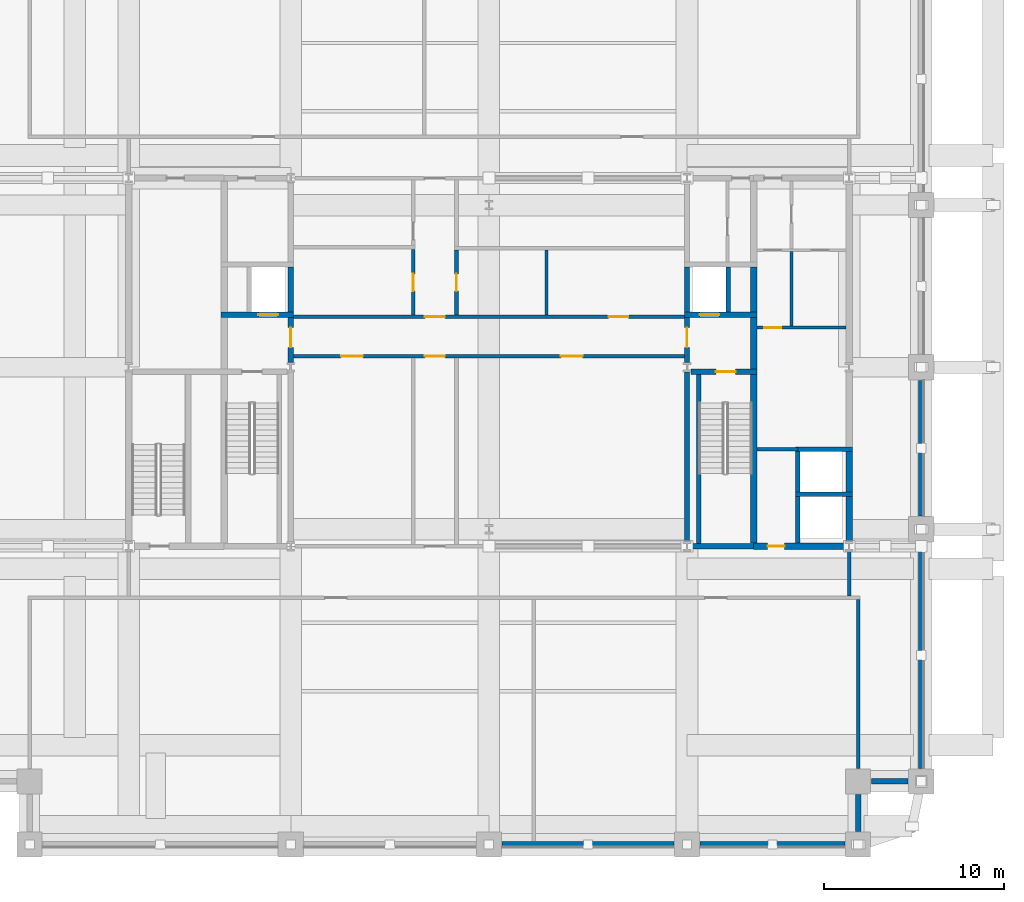
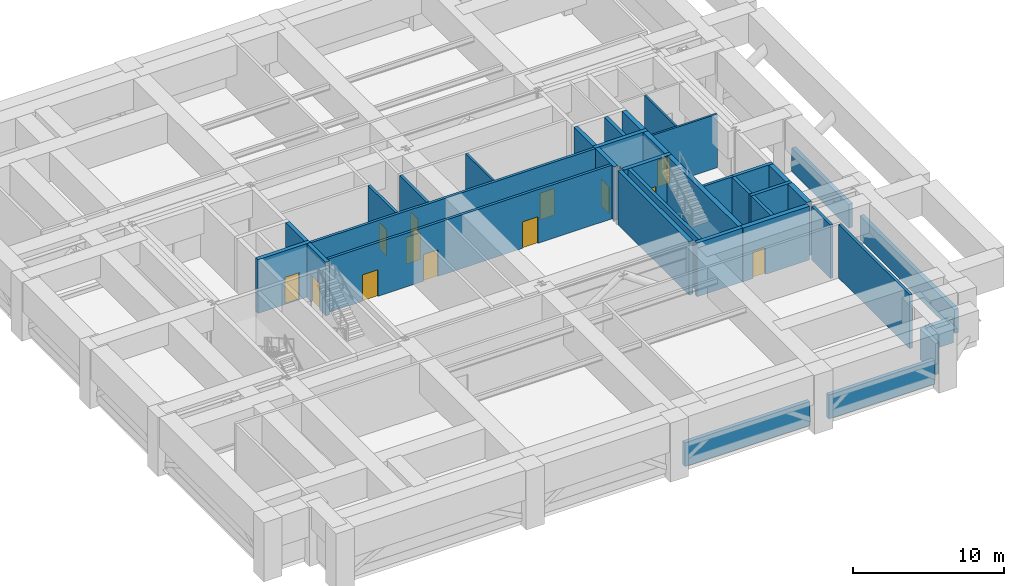
# One storey, part 4 of 10: 37 walls, 14 doors, 14 openings.
"""IFC4 building model written with IfcOpenShell, lengths in metres."""

from ifc_helpers import new_model, si_unit, direction, frame, frame_2d, origin, place, context, subcontext, project, spatial, rectangle, extrude, material, layer, layer_set, type_object, element, fill, save


model = new_model("IFC4")

# Units and contexts
model_context = context("Model", 3, precision=1e-05, world=origin(), true_north=direction((0.0, 1.0)))
body_context = subcontext(model_context, "Body", "Model", "MODEL_VIEW")
ifc_project = project(units=[si_unit("LENGTHUNIT", "METRE"), si_unit("AREAUNIT", "SQUARE_METRE"), si_unit("VOLUMEUNIT", "CUBIC_METRE"), si_unit("PLANEANGLEUNIT", "RADIAN"), si_unit("MASSUNIT", "GRAM", prefix="KILO")], contexts=[model_context])

# Site, building, storey
site_placement = place(None, origin())
site = spatial("IfcSite", under=ifc_project, at=site_placement, CompositionType="ELEMENT")
building_placement = place(site_placement, origin())
building = spatial("IfcBuilding", under=site, at=building_placement, Name="Zulmaris Gate Convention Tower", CompositionType="ELEMENT")
storey_placement = place(building_placement, frame((0.0, 0.0, 82.179931640625)))
storey = spatial("IfcBuildingStorey", under=building, at=storey_placement, Name="L20", CompositionType="ELEMENT", Elevation=82.179931640625)

# Walls
ifc_material_1 = material(Name="Concrete C50/60", Category="concrete")
ifc_layer_1 = layer(ifc_material_1, 0.25, Name="Concrete C50/60")
ifc_layer_set_1 = layer_set([ifc_layer_1], Name="Concrete C50/60")
wall_type_1 = type_object("IfcWallType", Name="CORE-250", PredefinedType="SOLIDWALL", material=ifc_layer_set_1)
for number, where, z_axis, x_axis, name in (
    (1, (17.02490234375, -7.050048828125, 0.0), (0.0, 0.0, 1.0), (1.0, 0.0, 0.0), "WL-L20-005"),
    (2, (17.02490234375, -4.550048828125, 0.0), (0.0, 0.0, 1.0), (1.0, 0.0, 0.0), "WL-L20-006"),
):
    element("IfcWall", number, at=place(storey_placement, frame(where, z_axis=z_axis, x_axis=x_axis)), inside=storey, type_object=wall_type_1, Name=name, PredefinedType="SOLIDWALL", context=body_context, shape_type="SweptSolid", body=[
        extrude(rectangle(XDim=3.150146484375, YDim=0.25, at=frame_2d((1.5751953125, 0.0))), origin(), (0.0, 0.0, 1.0), 4.3349609375),
    ])
wall_1_placement = place(storey_placement, frame((11.64990234375, -9.798095703125, 0.0), z_axis=(0.0, 0.0, 1.0), x_axis=(0.0, 1.0, 0.0)))
element("IfcWall", 3, at=wall_1_placement, inside=storey, type_object=wall_type_1, Name="WL-L20-045", PredefinedType="SOLIDWALL", context=body_context, shape_type="SweptSolid", body=[
    extrude(rectangle(XDim=9.39599609375, YDim=0.25, at=frame_2d((4.697998046875, 0.0))), origin(), (0.0, 0.0, 1.0), 4.3349609375),
])
wall_2_placement = place(storey_placement, frame((13.300048828125, 3.052001953125, 0.0), z_axis=(0.0, 0.0, 1.0), x_axis=(0.0, 1.0, 0.0)))
element("IfcWall", 4, at=wall_2_placement, inside=storey, type_object=wall_type_1, Name="WL-L20-046", PredefinedType="SOLIDWALL", context=body_context, shape_type="SweptSolid", body=[
    extrude(rectangle(XDim=2.49609375, YDim=0.25, at=frame_2d((1.248046875, 0.0))), origin(), (0.0, 0.0, 1.0), 4.3349609375),
])
wall_3_placement = place(storey_placement, frame((17.14990234375, -9.77294921875, 0.0), z_axis=(0.0, 0.0, 1.0), x_axis=(0.0, 1.0, 0.0)))
element("IfcWall", 5, at=wall_3_placement, inside=storey, type_object=wall_type_1, Name="WL-L20-051", PredefinedType="SOLIDWALL", context=body_context, shape_type="SweptSolid", body=[
    extrude(rectangle(XDim=2.595947265625, YDim=0.25, at=frame_2d((1.2978515625, 0.0))), origin(), (0.0, 0.0, 1.0), 4.3349609375),
])
wall_4_placement = place(storey_placement, frame((17.14990234375, -6.923095703125, 0.0), z_axis=(0.0, 0.0, 1.0), x_axis=(0.0, 1.0, 0.0)))
element("IfcWall", 6, at=wall_4_placement, inside=storey, type_object=wall_type_1, Name="WL-L20-052", PredefinedType="SOLIDWALL", context=body_context, shape_type="SweptSolid", body=[
    extrude(rectangle(XDim=2.24609375, YDim=0.25, at=frame_2d((1.123046875, 0.0))), origin(), (0.0, 0.0, 1.0), 4.3349609375),
])
ifc_layer_2 = layer(ifc_material_1, 0.300048828125, Name="Concrete C50/60")
ifc_layer_set_2 = layer_set([ifc_layer_2], Name="Concrete C50/60")
wall_type_2 = type_object("IfcWallType", Name="CORE-300", PredefinedType="SHEAR", material=ifc_layer_set_2)
wall_5_placement = place(storey_placement, frame((11.222412109375, -9.949951171875, 0.0), z_axis=(0.0, 0.0, 1.0), x_axis=(1.0, 0.0, 0.0)))
element("IfcWall", 7, at=wall_5_placement, inside=storey, type_object=wall_type_2, Name="WL-L20-003", PredefinedType="SHEAR", context=body_context, shape_type="SweptSolid", body=[
    extrude(rectangle(XDim=3.4775390625, YDim=0.300048828125, at=frame_2d((1.73876953125, 0.0))), origin(), (0.0, 0.0, 1.0), 4.3349609375),
])

# Wall, opening, door
wall_6_placement = place(storey_placement, frame((11.222412109375, -0.25, 0.0), z_axis=(0.0, 0.0, 1.0), x_axis=(1.0, 0.0, 0.0)))
wall_6 = element("IfcWall", 8, at=wall_6_placement, inside=storey, type_object=wall_type_2, Name="WL-L20-008", PredefinedType="SHEAR", context=body_context, shape_type="SweptSolid", body=[
    extrude(rectangle(XDim=3.652587890625, YDim=0.300048828125, at=frame_2d((1.826171875, 0.0))), origin(), (0.0, 0.0, 1.0), 4.3349609375),
])
opening_1_placement = place(wall_6_placement, frame((1.37744140625, 0.0, 0.0)))
opening_1 = element("IfcOpeningElement", 9, at=opening_1_placement, cuts=wall_6, Name="Opening D-08", PredefinedType="OPENING", context=body_context, shape_type="SweptSolid", body=[
    extrude(rectangle(XDim=1.10009765625, YDim=2.14990234375, at=frame_2d((0.550048828125, 1.074951171875))), frame((0.0, 0.16015625, 0.0), z_axis=(0.0, -1.0, 0.0), x_axis=(1.0, 0.0, 0.0)), (0.0, 0.0, 1.0), 0.320068359375),
])
ifc_material_2 = material(Name="Fire-Rated Steel", Category="steel")
door_type_1 = type_object("IfcDoorType", Name="DR-1100-FD", OperationType="NOTDEFINED", PredefinedType="DOOR", material=ifc_material_2)
door_1_placement = place(opening_1_placement, origin())
door_1 = element("IfcDoor", 10, at=door_1_placement, inside=storey, type_object=door_type_1, Name="L20 Exit Stair ST-2 Door 04", OperationType="SINGLE_SWING_RIGHT", OverallHeight=2.14990234375, OverallWidth=1.10009765625, PredefinedType="DOOR", context=body_context, shape_type="SweptSolid", body=[
    extrude(rectangle(XDim=1.10009765625, YDim=2.14990234375, at=frame_2d((0.550048828125, 1.074951171875))), frame((0.0, 0.02490234375, 0.0), z_axis=(0.0, -1.0, 0.0), x_axis=(1.0, 0.0, 0.0)), (0.0, 0.0, 1.0), 0.050048828125),
])
fill(opening_1, door_1)

wall_7_placement = place(storey_placement, frame((-14.875, 2.89990234375, 0.0), z_axis=(0.0, 0.0, 1.0), x_axis=(1.0, 0.0, 0.0)))
wall_7 = element("IfcWall", 11, at=wall_7_placement, inside=storey, type_object=wall_type_2, Name="WL-L20-009", PredefinedType="SHEAR", context=body_context, shape_type="SweptSolid", body=[
    extrude(rectangle(XDim=4.02490234375, YDim=0.300048828125, at=frame_2d((2.012451171875, 0.0))), origin(), (0.0, 0.0, 1.0), 4.3349609375),
])
opening_2_placement = place(wall_7_placement, frame((2.074951171875, 0.0, 0.0)))
opening_2 = element("IfcOpeningElement", 12, at=opening_2_placement, cuts=wall_7, Name="Opening D-06", PredefinedType="OPENING", context=body_context, shape_type="SweptSolid", body=[
    extrude(rectangle(XDim=1.10009765625, YDim=2.199951171875, at=frame_2d((0.550048828125, 1.10009765625))), frame((0.0, 0.16015625, 0.0), z_axis=(0.0, -1.0, 0.0), x_axis=(1.0, 0.0, 0.0)), (0.0, 0.0, 1.0), 0.320068359375),
])
ifc_material_3 = material(Name="Brushed Stainless Steel", Category="steel")
door_type_2 = type_object("IfcDoorType", Name="LD-1100", OperationType="NOTDEFINED", PredefinedType="DOOR", material=ifc_material_3)
door_2_placement = place(opening_2_placement, origin())
door_2 = element("IfcDoor", 13, at=door_2_placement, inside=storey, type_object=door_type_2, Name="L20 Lift Landing Door LF-01 03", OperationType="SLIDING_TO_LEFT", OverallHeight=2.199951171875, OverallWidth=1.10009765625, PredefinedType="DOOR", context=body_context, shape_type="SweptSolid", body=[
    extrude(rectangle(XDim=1.10009765625, YDim=2.199951171875, at=frame_2d((0.550048828125, 1.10009765625))), frame((0.0, 0.02490234375, 0.0), z_axis=(0.0, -1.0, 0.0), x_axis=(1.0, 0.0, 0.0)), (0.0, 0.0, 1.0), 0.050048828125),
])
fill(opening_2, door_2)

wall_8_placement = place(storey_placement, frame((10.85009765625, 2.89990234375, 0.0), z_axis=(0.0, 0.0, 1.0), x_axis=(1.0, 0.0, 0.0)))
wall_8 = element("IfcWall", 14, at=wall_8_placement, inside=storey, type_object=wall_type_2, Name="WL-L20-010", PredefinedType="SHEAR", context=body_context, shape_type="SweptSolid", body=[
    extrude(rectangle(XDim=4.02490234375, YDim=0.300048828125, at=frame_2d((2.012451171875, 0.0))), origin(), (0.0, 0.0, 1.0), 4.3349609375),
])
opening_3_placement = place(wall_8_placement, frame((0.85009765625, 0.0, 0.0)))
opening_3 = element("IfcOpeningElement", 15, at=opening_3_placement, cuts=wall_8, Name="Opening D-06", PredefinedType="OPENING", context=body_context, shape_type="SweptSolid", body=[
    extrude(rectangle(XDim=1.10009765625, YDim=2.199951171875, at=frame_2d((0.550048828125, 1.10009765625))), frame((0.0, 0.16015625, 0.0), z_axis=(0.0, -1.0, 0.0), x_axis=(1.0, 0.0, 0.0)), (0.0, 0.0, 1.0), 0.320068359375),
])
door_3_placement = place(opening_3_placement, origin())
door_3 = element("IfcDoor", 16, at=door_3_placement, inside=storey, type_object=door_type_2, Name="L20 Lift Landing Door LF-02 06", OperationType="SLIDING_TO_RIGHT", OverallHeight=2.199951171875, OverallWidth=1.10009765625, PredefinedType="DOOR", context=body_context, shape_type="SweptSolid", body=[
    extrude(rectangle(XDim=1.10009765625, YDim=2.199951171875, at=frame_2d((0.550048828125, 1.10009765625))), frame((0.0, 0.02490234375, 0.0), z_axis=(0.0, -1.0, 0.0), x_axis=(1.0, 0.0, 0.0)), (0.0, 0.0, 1.0), 0.050048828125),
])
fill(opening_3, door_3)

wall_9_placement = place(storey_placement, frame((-11.0, 0.260986328125, 0.0), z_axis=(0.0, 0.0, 1.0), x_axis=(0.0, 1.0, 0.0)))
wall_9 = element("IfcWall", 17, at=wall_9_placement, inside=storey, type_object=wall_type_2, Name="WL-L20-038", PredefinedType="SHEAR", context=body_context, shape_type="SweptSolid", body=[
    extrude(rectangle(XDim=2.487060546875, YDim=0.300048828125, at=frame_2d((1.24365234375, 0.0))), origin(), (0.0, 0.0, 1.0), 4.3349609375),
])
opening_4_placement = place(wall_9_placement, frame((0.839111328125, 0.0, 0.0)))
opening_4 = element("IfcOpeningElement", 18, at=opening_4_placement, cuts=wall_9, Name="Opening D-08", PredefinedType="OPENING", context=body_context, shape_type="SweptSolid", body=[
    extrude(rectangle(XDim=1.10009765625, YDim=2.14990234375, at=frame_2d((0.550048828125, 1.074951171875))), frame((0.0, 0.16015625, 0.0), z_axis=(0.0, -1.0, 0.0), x_axis=(1.0, 0.0, 0.0)), (0.0, 0.0, 1.0), 0.320068359375),
])
door_4_placement = place(opening_4_placement, origin())
door_4 = element("IfcDoor", 19, at=door_4_placement, inside=storey, type_object=door_type_1, Name="L20 West Firefighting Lobby Door 02", OperationType="SINGLE_SWING_LEFT", OverallHeight=2.14990234375, OverallWidth=1.10009765625, PredefinedType="DOOR", context=body_context, shape_type="SweptSolid", body=[
    extrude(rectangle(XDim=1.10009765625, YDim=2.14990234375, at=frame_2d((0.550048828125, 1.074951171875))), frame((0.0, 0.02490234375, 0.0), z_axis=(0.0, -1.0, 0.0), x_axis=(1.0, 0.0, 0.0)), (0.0, 0.0, 1.0), 0.050048828125),
])
fill(opening_4, door_4)

# Walls
wall_10_placement = place(storey_placement, frame((-11.0, 3.052001953125, 0.0), z_axis=(0.0, 0.0, 1.0), x_axis=(0.0, 1.0, 0.0)))
element("IfcWall", 20, at=wall_10_placement, inside=storey, type_object=wall_type_2, Name="WL-L20-039", PredefinedType="SHEAR", context=body_context, shape_type="SweptSolid", body=[
    extrude(rectangle(XDim=2.49609375, YDim=0.300048828125, at=frame_2d((1.248046875, 0.0))), origin(), (0.0, 0.0, 1.0), 4.3349609375),
])
wall_11_placement = place(storey_placement, frame((11.0, -9.68896484375, 0.0), z_axis=(0.0, 0.0, 1.0), x_axis=(0.0, 1.0, 0.0)))
element("IfcWall", 21, at=wall_11_placement, inside=storey, type_object=wall_type_2, Name="WL-L20-041", PredefinedType="SHEAR", context=body_context, shape_type="SweptSolid", body=[
    extrude(rectangle(XDim=9.427978515625, YDim=0.300048828125, at=frame_2d((4.7138671875, 0.0))), origin(), (0.0, 0.0, 1.0), 4.3349609375),
])

# Wall, opening, door
wall_12_placement = place(storey_placement, frame((11.0, 0.260986328125, 0.0), z_axis=(0.0, 0.0, 1.0), x_axis=(0.0, 1.0, 0.0)))
wall_12 = element("IfcWall", 22, at=wall_12_placement, inside=storey, type_object=wall_type_2, Name="WL-L20-042", PredefinedType="SHEAR", context=body_context, shape_type="SweptSolid", body=[
    extrude(rectangle(XDim=2.487060546875, YDim=0.300048828125, at=frame_2d((1.24365234375, 0.0))), origin(), (0.0, 0.0, 1.0), 4.3349609375),
])
opening_5_placement = place(wall_12_placement, frame((0.839111328125, 0.0, 0.0)))
opening_5 = element("IfcOpeningElement", 23, at=opening_5_placement, cuts=wall_12, Name="Opening D-08", PredefinedType="OPENING", context=body_context, shape_type="SweptSolid", body=[
    extrude(rectangle(XDim=1.10009765625, YDim=2.14990234375, at=frame_2d((0.550048828125, 1.074951171875))), frame((0.0, 0.16015625, 0.0), z_axis=(0.0, -1.0, 0.0), x_axis=(1.0, 0.0, 0.0)), (0.0, 0.0, 1.0), 0.320068359375),
])
door_5_placement = place(opening_5_placement, origin())
door_5 = element("IfcDoor", 24, at=door_5_placement, inside=storey, type_object=door_type_1, Name="L20 East Firefighting Lobby Door 05", OperationType="SINGLE_SWING_LEFT", OverallHeight=2.14990234375, OverallWidth=1.10009765625, PredefinedType="DOOR", context=body_context, shape_type="SweptSolid", body=[
    extrude(rectangle(XDim=1.10009765625, YDim=2.14990234375, at=frame_2d((0.550048828125, 1.074951171875))), frame((0.0, 0.02490234375, 0.0), z_axis=(0.0, -1.0, 0.0), x_axis=(1.0, 0.0, 0.0)), (0.0, 0.0, 1.0), 0.050048828125),
])
fill(opening_5, door_5)

# Wall
wall_13_placement = place(storey_placement, frame((11.0, 3.052001953125, 0.0), z_axis=(0.0, 0.0, 1.0), x_axis=(0.0, 1.0, 0.0)))
element("IfcWall", 25, at=wall_13_placement, inside=storey, type_object=wall_type_2, Name="WL-L20-043", PredefinedType="SHEAR", context=body_context, shape_type="SweptSolid", body=[
    extrude(rectangle(XDim=2.49609375, YDim=0.300048828125, at=frame_2d((1.248046875, 0.0))), origin(), (0.0, 0.0, 1.0), 4.3349609375),
])

# Wall, opening, door
ifc_material_4 = material(Name="Concrete C55/67", Category="concrete")
ifc_layer_3 = layer(ifc_material_4, 0.35009765625, Name="Concrete C55/67")
ifc_layer_set_3 = layer_set([ifc_layer_3], Name="Concrete C55/67")
wall_type_3 = type_object("IfcWallType", Name="CORE-350", PredefinedType="SHEAR", material=ifc_layer_set_3)
wall_14_placement = place(storey_placement, frame((14.699951171875, -9.949951171875, 0.0), z_axis=(0.0, 0.0, 1.0), x_axis=(1.0, 0.0, 0.0)))
wall_14 = element("IfcWall", 26, at=wall_14_placement, inside=storey, type_object=wall_type_3, Name="WL-L20-004", PredefinedType="SHEAR", context=body_context, shape_type="SweptSolid", body=[
    extrude(rectangle(XDim=5.07763671875, YDim=0.35009765625, at=frame_2d((2.538818359375, 0.0))), origin(), (0.0, 0.0, 1.0), 4.3349609375),
])
opening_6_placement = place(wall_14_placement, frame((0.77490234375, 0.0, 0.0)))
opening_6 = element("IfcOpeningElement", 27, at=opening_6_placement, cuts=wall_14, Name="Opening D-11", PredefinedType="OPENING", context=body_context, shape_type="SweptSolid", body=[
    extrude(rectangle(XDim=0.949951171875, YDim=2.14990234375, at=frame_2d((0.47509765625, 1.074951171875))), frame((0.0, 0.18505859375, 0.0), z_axis=(0.0, -1.0, 0.0), x_axis=(1.0, 0.0, 0.0)), (0.0, 0.0, 1.0), 0.3701171875),
])
ifc_material_5 = material(Name="Fire-Rated Timber", Category="wood")
door_type_3 = type_object("IfcDoorType", Name="DR-950-FD", OperationType="NOTDEFINED", PredefinedType="DOOR", material=ifc_material_5)
door_6_placement = place(opening_6_placement, origin())
door_6 = element("IfcDoor", 28, at=door_6_placement, inside=storey, type_object=door_type_3, Name="L20 East Cleaners Store Door 12", OperationType="SINGLE_SWING_LEFT", OverallHeight=2.14990234375, OverallWidth=0.949951171875, PredefinedType="DOOR", context=body_context, shape_type="SweptSolid", body=[
    extrude(rectangle(XDim=0.949951171875, YDim=2.14990234375, at=frame_2d((0.47509765625, 1.074951171875))), frame((0.0, 0.02490234375, 0.0), z_axis=(0.0, -1.0, 0.0), x_axis=(1.0, 0.0, 0.0)), (0.0, 0.0, 1.0), 0.050048828125),
])
fill(opening_6, door_6)

# Walls
wall_15_placement = place(storey_placement, frame((14.699951171875, -9.77294921875, 0.0), z_axis=(0.0, 0.0, 1.0), x_axis=(0.0, 1.0, 0.0)))
element("IfcWall", 29, at=wall_15_placement, inside=storey, type_object=wall_type_3, Name="WL-L20-047", PredefinedType="SHEAR", context=body_context, shape_type="SweptSolid", body=[
    extrude(rectangle(XDim=9.370849609375, YDim=0.35009765625, at=frame_2d((4.685546875, 0.0))), origin(), (0.0, 0.0, 1.0), 4.3349609375),
])
wall_16_placement = place(storey_placement, frame((14.699951171875, -0.097900390625, 0.0), z_axis=(0.0, 0.0, 1.0), x_axis=(0.0, 1.0, 0.0)))
element("IfcWall", 30, at=wall_16_placement, inside=storey, type_object=wall_type_3, Name="WL-L20-048", PredefinedType="SHEAR", context=body_context, shape_type="SweptSolid", body=[
    extrude(rectangle(XDim=2.845947265625, YDim=0.35009765625, at=frame_2d((1.4228515625, 0.0))), origin(), (0.0, 0.0, 1.0), 4.3349609375),
])
wall_17_placement = place(storey_placement, frame((14.699951171875, 3.052001953125, 0.0), z_axis=(0.0, 0.0, 1.0), x_axis=(0.0, 1.0, 0.0)))
element("IfcWall", 31, at=wall_17_placement, inside=storey, type_object=wall_type_3, Name="WL-L20-049", PredefinedType="SHEAR", context=body_context, shape_type="SweptSolid", body=[
    extrude(rectangle(XDim=2.49609375, YDim=0.35009765625, at=frame_2d((1.248046875, 0.0))), origin(), (0.0, 0.0, 1.0), 4.3349609375),
])
wall_18_placement = place(storey_placement, frame((20.0, -9.68896484375, 0.0), z_axis=(0.0, 0.0, 1.0), x_axis=(0.0, 1.0, 0.0)))
element("IfcWall", 32, at=wall_18_placement, inside=storey, type_object=wall_type_3, Name="WL-L20-053", PredefinedType="SHEAR", context=body_context, shape_type="SweptSolid", body=[
    extrude(rectangle(XDim=2.511962890625, YDim=0.35009765625, at=frame_2d((1.255859375, 0.0))), origin(), (0.0, 0.0, 1.0), 4.3349609375),
])
wall_19_placement = place(storey_placement, frame((20.0, -6.923095703125, 0.0), z_axis=(0.0, 0.0, 1.0), x_axis=(0.0, 1.0, 0.0)))
element("IfcWall", 33, at=wall_19_placement, inside=storey, type_object=wall_type_3, Name="WL-L20-054", PredefinedType="SHEAR", context=body_context, shape_type="SweptSolid", body=[
    extrude(rectangle(XDim=2.24609375, YDim=0.35009765625, at=frame_2d((1.123046875, 0.0))), origin(), (0.0, 0.0, 1.0), 4.3349609375),
])

# Wall, opening, door
ifc_material_6 = material(Name="Gypsum Metal Stud Partition")
ifc_layer_4 = layer(ifc_material_6, 0.14990234375, Name="Gypsum Metal Stud Partition")
ifc_layer_set_4 = layer_set([ifc_layer_4], Name="Gypsum Metal Stud Partition")
wall_type_4 = type_object("IfcWallType", Name="PART-150", PredefinedType="PARTITIONING", material=ifc_layer_set_4)
wall_20_placement = place(storey_placement, frame((14.8779296875, 2.199951171875, 0.0), z_axis=(0.0, 0.0, 1.0), x_axis=(1.0, 0.0, 0.0)))
wall_20 = element("IfcWall", 34, at=wall_20_placement, inside=storey, type_object=wall_type_4, Name="WL-L20-021", PredefinedType="PARTITIONING", context=body_context, shape_type="SweptSolid", body=[
    extrude(rectangle(XDim=4.944091796875, YDim=0.14990234375, at=frame_2d((2.47216796875, 0.0))), origin(), (0.0, 0.0, 1.0), 4.3349609375),
])
opening_7_placement = place(wall_20_placement, frame((0.39697265625, 0.0, 0.0)))
opening_7 = element("IfcOpeningElement", 35, at=opening_7_placement, cuts=wall_20, Name="Opening D-11", PredefinedType="OPENING", context=body_context, shape_type="SweptSolid", body=[
    extrude(rectangle(XDim=0.949951171875, YDim=2.14990234375, at=frame_2d((0.47509765625, 1.074951171875))), frame((0.0, 0.0849609375, 0.0), z_axis=(0.0, -1.0, 0.0), x_axis=(1.0, 0.0, 0.0)), (0.0, 0.0, 1.0), 0.169921875),
])
door_7_placement = place(opening_7_placement, origin())
door_7 = element("IfcDoor", 36, at=door_7_placement, inside=storey, type_object=door_type_3, Name="L20 East Switchroom Door 15", OperationType="SINGLE_SWING_RIGHT", OverallHeight=2.14990234375, OverallWidth=0.949951171875, PredefinedType="DOOR", context=body_context, shape_type="SweptSolid", body=[
    extrude(rectangle(XDim=0.949951171875, YDim=2.14990234375, at=frame_2d((0.47509765625, 1.074951171875))), frame((0.0, 0.02490234375, 0.0), z_axis=(0.0, -1.0, 0.0), x_axis=(1.0, 0.0, 0.0)), (0.0, 0.0, 1.0), 0.050048828125),
])
fill(opening_7, door_7)

# Walls
wall_21_placement = place(storey_placement, frame((3.199951171875, 2.903076171875, 0.0), z_axis=(0.0, 0.0, 1.0), x_axis=(0.0, 1.0, 0.0)))
element("IfcWall", 37, at=wall_21_placement, inside=storey, type_object=wall_type_4, Name="WL-L20-068", PredefinedType="PARTITIONING", context=body_context, shape_type="SweptSolid", body=[
    extrude(rectangle(XDim=3.593994140625, YDim=0.14990234375, at=frame_2d((1.796875, 0.0))), origin(), (0.0, 0.0, 1.0), 4.3349609375),
])
wall_22_placement = place(storey_placement, frame((16.800048828125, 2.278076171875, 0.0), z_axis=(0.0, 0.0, 1.0), x_axis=(0.0, 1.0, 0.0)))
element("IfcWall", 38, at=wall_22_placement, inside=storey, type_object=wall_type_4, Name="WL-L20-070", PredefinedType="PARTITIONING", context=body_context, shape_type="SweptSolid", body=[
    extrude(rectangle(XDim=4.14404296875, YDim=0.14990234375, at=frame_2d((2.072021484375, 0.0))), origin(), (0.0, 0.0, 1.0), 4.3349609375),
])
ifc_material_7 = material(Name="Autoclaved Aerated Concrete Block and Plasterboard", Category="concrete")
ifc_layer_5 = layer(ifc_material_7, 0.199951171875, Name="Autoclaved Aerated Concrete Block and Plasterboard")
ifc_layer_set_5 = layer_set([ifc_layer_5], Name="Autoclaved Aerated Concrete Block and Plasterboard")
wall_type_5 = type_object("IfcWallType", Name="PART-200", PredefinedType="PARTITIONING", material=ifc_layer_set_5)
wall_23_placement = place(storey_placement, frame((14.8779296875, -4.550048828125, 0.0), z_axis=(0.0, 0.0, 1.0), x_axis=(1.0, 0.0, 0.0)))
element("IfcWall", 39, at=wall_23_placement, inside=storey, type_object=wall_type_5, Name="WL-L20-019", PredefinedType="PARTITIONING", context=body_context, shape_type="SweptSolid", body=[
    extrude(rectangle(XDim=2.27197265625, YDim=0.199951171875, at=frame_2d((1.135986328125, 0.0))), origin(), (0.0, 0.0, 1.0), 4.3349609375),
])

# Wall, openings, doors
wall_24_placement = place(storey_placement, frame((-10.846923828125, 0.60009765625, 0.0), z_axis=(0.0, 0.0, 1.0), x_axis=(1.0, 0.0, 0.0)))
wall_24 = element("IfcWall", 40, at=wall_24_placement, inside=storey, type_object=wall_type_5, Name="WL-L20-020", PredefinedType="PARTITIONING", context=body_context, shape_type="SweptSolid", body=[
    extrude(rectangle(XDim=21.69384765625, YDim=0.199951171875, at=frame_2d((10.846923828125, 0.0))), origin(), (0.0, 0.0, 1.0), 4.3349609375),
])
opening_8_placement = place(wall_24_placement, frame((7.297119140625, 0.0, 0.0)))
opening_8 = element("IfcOpeningElement", 41, at=opening_8_placement, cuts=wall_24, Name="Opening D-08", PredefinedType="OPENING", context=body_context, shape_type="SweptSolid", body=[
    extrude(rectangle(XDim=1.10009765625, YDim=2.14990234375, at=frame_2d((0.550048828125, 1.074951171875))), frame((0.0, 0.10986328125, 0.0), z_axis=(0.0, -1.0, 0.0), x_axis=(1.0, 0.0, 0.0)), (0.0, 0.0, 1.0), 0.219970703125),
])
opening_9_placement = place(wall_24_placement, frame((2.64697265625, 0.0, 0.0)))
opening_9 = element("IfcOpeningElement", 42, at=opening_9_placement, cuts=wall_24, Name="Opening D-13", PredefinedType="OPENING", context=body_context, shape_type="SweptSolid", body=[
    extrude(rectangle(XDim=1.199951171875, YDim=2.14990234375, at=frame_2d((0.60009765625, 1.074951171875))), frame((0.0, 0.10986328125, 0.0), z_axis=(0.0, -1.0, 0.0), x_axis=(1.0, 0.0, 0.0)), (0.0, 0.0, 1.0), 0.219970703125),
])
opening_10_placement = place(wall_24_placement, frame((14.846923828125, 0.0, 0.0)))
opening_10 = element("IfcOpeningElement", 43, at=opening_10_placement, cuts=wall_24, Name="Opening D-13", PredefinedType="OPENING", context=body_context, shape_type="SweptSolid", body=[
    extrude(rectangle(XDim=1.199951171875, YDim=2.14990234375, at=frame_2d((0.60009765625, 1.074951171875))), frame((0.0, 0.10986328125, 0.0), z_axis=(0.0, -1.0, 0.0), x_axis=(1.0, 0.0, 0.0)), (0.0, 0.0, 1.0), 0.219970703125),
])
door_8_placement = place(opening_8_placement, origin())
door_8 = element("IfcDoor", 44, at=door_8_placement, inside=storey, type_object=door_type_1, Name="L20 South Plant Link Door 20", OperationType="SINGLE_SWING_LEFT", OverallHeight=2.14990234375, OverallWidth=1.10009765625, PredefinedType="DOOR", context=body_context, shape_type="SweptSolid", body=[
    extrude(rectangle(XDim=1.10009765625, YDim=2.14990234375, at=frame_2d((0.550048828125, 1.074951171875))), frame((0.0, 0.02490234375, 0.0), z_axis=(0.0, -1.0, 0.0), x_axis=(1.0, 0.0, 0.0)), (0.0, 0.0, 1.0), 0.050048828125),
])
fill(opening_8, door_8)
door_type_4 = type_object("IfcDoorType", Name="DR-1200-FD", OperationType="NOTDEFINED", PredefinedType="DOOR", material=ifc_material_2)
door_9_placement = place(opening_9_placement, origin())
door_9 = element("IfcDoor", 45, at=door_9_placement, inside=storey, type_object=door_type_4, Name="L20 West Refuge Area Door 22", OperationType="SINGLE_SWING_LEFT", OverallHeight=2.14990234375, OverallWidth=1.199951171875, PredefinedType="DOOR", context=body_context, shape_type="SweptSolid", body=[
    extrude(rectangle(XDim=1.199951171875, YDim=2.14990234375, at=frame_2d((0.60009765625, 1.074951171875))), frame((0.0, 0.02490234375, 0.0), z_axis=(0.0, -1.0, 0.0), x_axis=(1.0, 0.0, 0.0)), (0.0, 0.0, 1.0), 0.050048828125),
])
fill(opening_9, door_9)
door_10_placement = place(opening_10_placement, origin())
door_10 = element("IfcDoor", 46, at=door_10_placement, inside=storey, type_object=door_type_4, Name="L20 East Refuge Area Door 23", OperationType="SINGLE_SWING_RIGHT", OverallHeight=2.14990234375, OverallWidth=1.199951171875, PredefinedType="DOOR", context=body_context, shape_type="SweptSolid", body=[
    extrude(rectangle(XDim=1.199951171875, YDim=2.14990234375, at=frame_2d((0.60009765625, 1.074951171875))), frame((0.0, 0.02490234375, 0.0), z_axis=(0.0, -1.0, 0.0), x_axis=(1.0, 0.0, 0.0)), (0.0, 0.0, 1.0), 0.050048828125),
])
fill(opening_10, door_10)

wall_25_placement = place(storey_placement, frame((-10.846923828125, 2.800048828125, 0.0), z_axis=(0.0, 0.0, 1.0), x_axis=(1.0, 0.0, 0.0)))
wall_25 = element("IfcWall", 47, at=wall_25_placement, inside=storey, type_object=wall_type_5, Name="WL-L20-022", PredefinedType="PARTITIONING", context=body_context, shape_type="SweptSolid", body=[
    extrude(rectangle(XDim=21.69384765625, YDim=0.199951171875, at=frame_2d((10.846923828125, 0.0))), origin(), (0.0, 0.0, 1.0), 4.3349609375),
])
opening_11_placement = place(wall_25_placement, frame((7.297119140625, 0.0, 0.0)))
opening_11 = element("IfcOpeningElement", 48, at=opening_11_placement, cuts=wall_25, Name="Opening D-08", PredefinedType="OPENING", context=body_context, shape_type="SweptSolid", body=[
    extrude(rectangle(XDim=1.10009765625, YDim=2.14990234375, at=frame_2d((0.550048828125, 1.074951171875))), frame((0.0, 0.10986328125, 0.0), z_axis=(0.0, -1.0, 0.0), x_axis=(1.0, 0.0, 0.0)), (0.0, 0.0, 1.0), 0.219970703125),
])
opening_12_placement = place(wall_25_placement, frame((17.4970703125, 0.0, 0.0)))
opening_12 = element("IfcOpeningElement", 49, at=opening_12_placement, cuts=wall_25, Name="Opening D-08", PredefinedType="OPENING", context=body_context, shape_type="SweptSolid", body=[
    extrude(rectangle(XDim=1.10009765625, YDim=2.14990234375, at=frame_2d((0.550048828125, 1.074951171875))), frame((0.0, 0.10986328125, 0.0), z_axis=(0.0, -1.0, 0.0), x_axis=(1.0, 0.0, 0.0)), (0.0, 0.0, 1.0), 0.219970703125),
])
door_11_placement = place(opening_11_placement, origin())
door_11 = element("IfcDoor", 50, at=door_11_placement, inside=storey, type_object=door_type_1, Name="L20 North Plant Link Door 18", OperationType="SINGLE_SWING_LEFT", OverallHeight=2.14990234375, OverallWidth=1.10009765625, PredefinedType="DOOR", context=body_context, shape_type="SweptSolid", body=[
    extrude(rectangle(XDim=1.10009765625, YDim=2.14990234375, at=frame_2d((0.550048828125, 1.074951171875))), frame((0.0, 0.02490234375, 0.0), z_axis=(0.0, -1.0, 0.0), x_axis=(1.0, 0.0, 0.0)), (0.0, 0.0, 1.0), 0.050048828125),
])
fill(opening_11, door_11)
door_12_placement = place(opening_12_placement, origin())
door_12 = element("IfcDoor", 51, at=door_12_placement, inside=storey, type_object=door_type_1, Name="L20 HV Switchroom Door 31", OperationType="SINGLE_SWING_RIGHT", OverallHeight=2.14990234375, OverallWidth=1.10009765625, PredefinedType="DOOR", context=body_context, shape_type="SweptSolid", body=[
    extrude(rectangle(XDim=1.10009765625, YDim=2.14990234375, at=frame_2d((0.550048828125, 1.074951171875))), frame((0.0, 0.02490234375, 0.0), z_axis=(0.0, -1.0, 0.0), x_axis=(1.0, 0.0, 0.0)), (0.0, 0.0, 1.0), 0.050048828125),
])
fill(opening_12, door_12)

# Wall, opening, door
wall_26_placement = place(storey_placement, frame((-4.199951171875, 2.903076171875, 0.0), z_axis=(0.0, 0.0, 1.0), x_axis=(0.0, 1.0, 0.0)))
wall_26 = element("IfcWall", 52, at=wall_26_placement, inside=storey, type_object=wall_type_5, Name="WL-L20-061", PredefinedType="PARTITIONING", context=body_context, shape_type="SweptSolid", body=[
    extrude(rectangle(XDim=3.64404296875, YDim=0.199951171875, at=frame_2d((1.822021484375, 0.0))), origin(), (0.0, 0.0, 1.0), 4.3349609375),
])
opening_13_placement = place(wall_26_placement, frame((1.322021484375, 0.0, 0.0)))
opening_13 = element("IfcOpeningElement", 53, at=opening_13_placement, cuts=wall_26, Name="Opening D-11", PredefinedType="OPENING", context=body_context, shape_type="SweptSolid", body=[
    extrude(rectangle(XDim=0.949951171875, YDim=2.14990234375, at=frame_2d((0.47509765625, 1.074951171875))), frame((0.0, 0.10986328125, 0.0), z_axis=(0.0, -1.0, 0.0), x_axis=(1.0, 0.0, 0.0)), (0.0, 0.0, 1.0), 0.219970703125),
])
door_13_placement = place(opening_13_placement, origin())
door_13 = element("IfcDoor", 54, at=door_13_placement, inside=storey, type_object=door_type_3, Name="L20 BMS Plant Door 28", OperationType="SINGLE_SWING_LEFT", OverallHeight=2.14990234375, OverallWidth=0.949951171875, PredefinedType="DOOR", context=body_context, shape_type="SweptSolid", body=[
    extrude(rectangle(XDim=0.949951171875, YDim=2.14990234375, at=frame_2d((0.47509765625, 1.074951171875))), frame((0.0, 0.02490234375, 0.0), z_axis=(0.0, -1.0, 0.0), x_axis=(1.0, 0.0, 0.0)), (0.0, 0.0, 1.0), 0.050048828125),
])
fill(opening_13, door_13)

wall_27_placement = place(storey_placement, frame((-1.800048828125, 2.903076171875, 0.0), z_axis=(0.0, 0.0, 1.0), x_axis=(0.0, 1.0, 0.0)))
wall_27 = element("IfcWall", 55, at=wall_27_placement, inside=storey, type_object=wall_type_5, Name="WL-L20-065", PredefinedType="PARTITIONING", context=body_context, shape_type="SweptSolid", body=[
    extrude(rectangle(XDim=3.593994140625, YDim=0.199951171875, at=frame_2d((1.796875, 0.0))), origin(), (0.0, 0.0, 1.0), 4.3349609375),
])
opening_14_placement = place(wall_27_placement, frame((1.322021484375, 0.0, 0.0)))
opening_14 = element("IfcOpeningElement", 56, at=opening_14_placement, cuts=wall_27, Name="Opening D-11", PredefinedType="OPENING", context=body_context, shape_type="SweptSolid", body=[
    extrude(rectangle(XDim=0.949951171875, YDim=2.14990234375, at=frame_2d((0.47509765625, 1.074951171875))), frame((0.0, 0.10986328125, 0.0), z_axis=(0.0, -1.0, 0.0), x_axis=(1.0, 0.0, 0.0)), (0.0, 0.0, 1.0), 0.219970703125),
])
door_14_placement = place(opening_14_placement, origin())
door_14 = element("IfcDoor", 57, at=door_14_placement, inside=storey, type_object=door_type_3, Name="L20 Refuge Accessible WC Door 30", OperationType="SINGLE_SWING_LEFT", OverallHeight=2.14990234375, OverallWidth=0.949951171875, PredefinedType="DOOR", context=body_context, shape_type="SweptSolid", body=[
    extrude(rectangle(XDim=0.949951171875, YDim=2.14990234375, at=frame_2d((0.47509765625, 1.074951171875))), frame((0.0, 0.02490234375, 0.0), z_axis=(0.0, -1.0, 0.0), x_axis=(1.0, 0.0, 0.0)), (0.0, 0.0, 1.0), 0.050048828125),
])
fill(opening_14, door_14)

# Walls
wall_28_placement = place(storey_placement, frame((20.0, -12.697021484375, 0.0), z_axis=(0.0, 0.0, 1.0), x_axis=(0.0, 1.0, 0.0)))
element("IfcWall", 58, at=wall_28_placement, inside=storey, type_object=wall_type_5, Name="WL-L20-072", PredefinedType="PARTITIONING", context=body_context, shape_type="SweptSolid", body=[
    extrude(rectangle(XDim=2.484130859375, YDim=0.199951171875, at=frame_2d((1.2421875, 0.0))), origin(), (0.0, 0.0, 1.0), 4.3349609375),
])
wall_29_placement = place(storey_placement, frame((20.5, -22.2939453125, 0.0), z_axis=(0.0, 0.0, 1.0), x_axis=(0.0, 1.0, 0.0)))
element("IfcWall", 59, at=wall_29_placement, inside=storey, type_object=wall_type_5, Name="WL-L20-074", PredefinedType="PARTITIONING", context=body_context, shape_type="SweptSolid", body=[
    extrude(rectangle(XDim=9.390869140625, YDim=0.199951171875, at=frame_2d((4.6953125, 0.0))), origin(), (0.0, 0.0, 1.0), 4.3349609375),
])
ifc_material_8 = material(Name="Precast concrete C40/50", Category="concrete")
ifc_layer_6 = layer(ifc_material_8, 0.300048828125, Name="Precast concrete C40/50")
ifc_layer_set_6 = layer_set([ifc_layer_6], Name="Precast concrete C40/50")
wall_type_6 = type_object("IfcWallType", Name="PRECAST-PIER-300", PredefinedType="STANDARD", material=ifc_layer_set_6)
wall_30_placement = place(storey_placement, frame((20.5, -25.77001953125, 0.0), z_axis=(0.0, 0.0, 1.0), x_axis=(0.0, 1.0, 0.0)))
element("IfcWall", 60, at=wall_30_placement, inside=storey, type_object=wall_type_6, Name="EW-L20-NOTCH-SE1_0", PredefinedType="STANDARD", context=body_context, shape_type="SweptSolid", body=[
    extrude(rectangle(XDim=2.0400390625, YDim=0.300048828125, at=frame_2d((1.02001953125, 0.0))), origin(), (0.0, 0.0, 1.0), 2.52685546875),
])
wall_31_placement = place(storey_placement, frame((21.22998046875, -23.0, 0.0), z_axis=(0.0, 0.0, 1.0), x_axis=(1.0, 0.0, 0.0)))
element("IfcWall", 61, at=wall_31_placement, inside=storey, type_object=wall_type_6, Name="EW-L20-NOTCH-SE2_0", PredefinedType="STANDARD", context=body_context, shape_type="SweptSolid", body=[
    extrude(rectangle(XDim=2.0400390625, YDim=0.300048828125, at=frame_2d((1.02001953125, 0.0))), origin(), (0.0, 0.0, 1.0), 1.927001953125),
])
wall_32_placement = place(storey_placement, frame((0.72998046875, -26.5, 0.0), z_axis=(0.0, 0.0, 1.0), x_axis=(1.0, 0.0, 0.0)))
element("IfcWall", 62, at=wall_32_placement, inside=storey, type_object=wall_type_6, Name="EW-L20-S-2_0", PredefinedType="STANDARD", context=body_context, shape_type="SweptSolid", body=[
    extrude(rectangle(XDim=9.5400390625, YDim=0.300048828125, at=frame_2d((4.77001953125, 0.0))), origin(), (0.0, 0.0, 1.0), 1.927001953125),
])
wall_33_placement = place(storey_placement, frame((11.72998046875, -26.5, 0.0), z_axis=(0.0, 0.0, 1.0), x_axis=(1.0, 0.0, 0.0)))
element("IfcWall", 63, at=wall_33_placement, inside=storey, type_object=wall_type_6, Name="EW-L20-S-3_0", PredefinedType="STANDARD", context=body_context, shape_type="SweptSolid", body=[
    extrude(rectangle(XDim=8.0400390625, YDim=0.300048828125, at=frame_2d((4.02001953125, 0.0))), origin(), (0.0, 0.0, 1.0), 1.927001953125),
])
wall_34_placement = place(storey_placement, frame((24.0, -22.27001953125, 0.0), z_axis=(0.0, 0.0, 1.0), x_axis=(0.0, 1.0, 0.0)))
element("IfcWall", 64, at=wall_34_placement, inside=storey, type_object=wall_type_6, Name="EW-L20-E-0_0", PredefinedType="STANDARD", context=body_context, shape_type="SweptSolid", body=[
    extrude(rectangle(XDim=12.5400390625, YDim=0.300048828125, at=frame_2d((6.27001953125, 0.0))), origin(), (0.0, 0.0, 1.0), 1.927001953125),
])
wall_35_placement = place(storey_placement, frame((24.0, -8.27001953125, 0.0), z_axis=(0.0, 0.0, 1.0), x_axis=(0.0, 1.0, 0.0)))
element("IfcWall", 65, at=wall_35_placement, inside=storey, type_object=wall_type_6, Name="EW-L20-E-1_0", PredefinedType="STANDARD", context=body_context, shape_type="SweptSolid", body=[
    extrude(rectangle(XDim=7.5400390625, YDim=0.300048828125, at=frame_2d((3.77001953125, 0.0))), origin(), (0.0, 0.0, 1.0), 1.927001953125),
])

save(model, "model.ifc")
